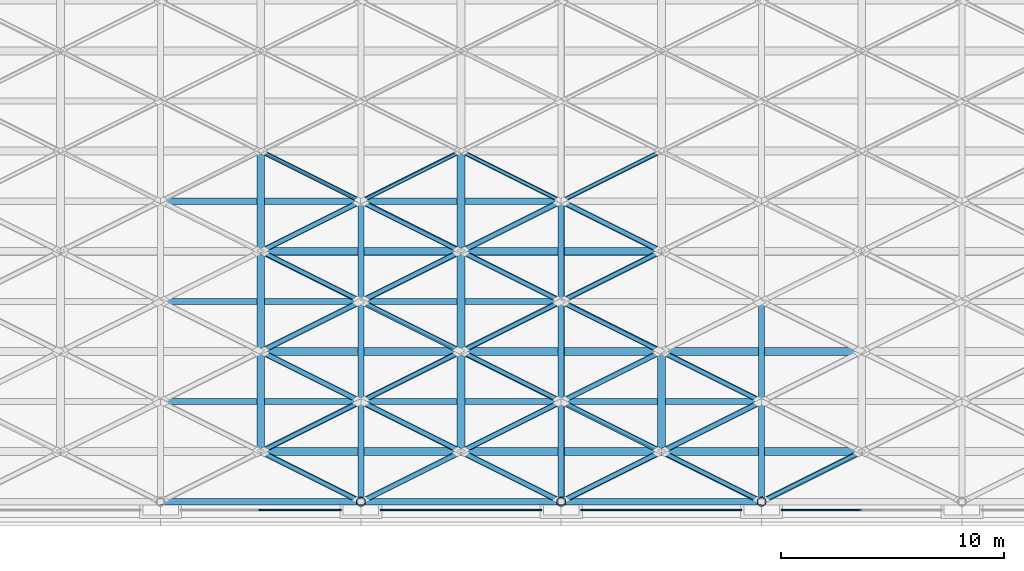
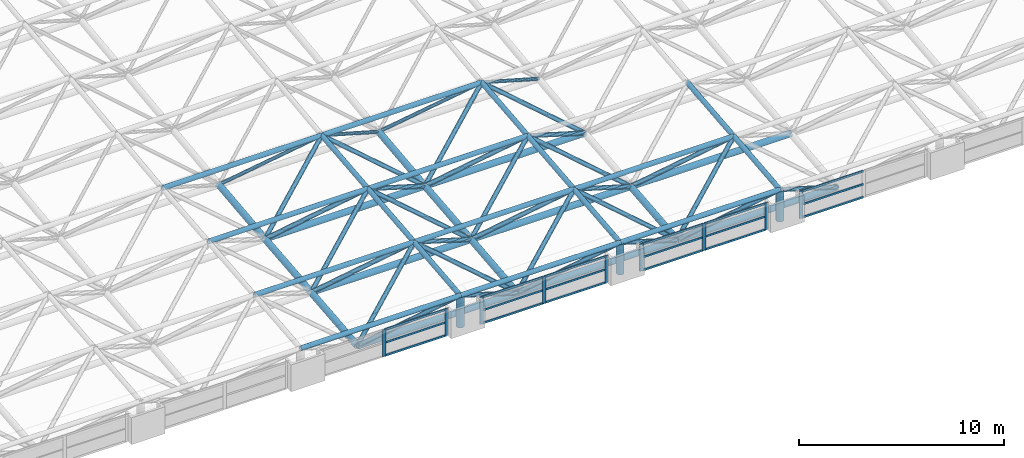
# One storey, part 5 of 53: 95 members, 4 elements without a shape of their own.
"""IFC4 building model written with IfcOpenShell, lengths in metres."""

from ifc_helpers import new_model, si_unit, direction, frame, origin, origin_2d, place, context, subcontext, project, spatial, rectangle, hollow_circle, extrude, material, material_profile, profile_set, type_object, element, aggregate, save


model = new_model("IFC4")

# Units and contexts
model_context = context("Model", 3, precision=1e-05, world=origin(), true_north=direction((0.0, 1.0)))
body_context = subcontext(model_context, "Body", "Model", "MODEL_VIEW")
ifc_project = project(units=[si_unit("LENGTHUNIT", "METRE"), si_unit("AREAUNIT", "SQUARE_METRE"), si_unit("VOLUMEUNIT", "CUBIC_METRE"), si_unit("PLANEANGLEUNIT", "RADIAN"), si_unit("MASSUNIT", "GRAM", prefix="KILO")], contexts=[model_context])

# Site, building, storey
site_placement = place(None, origin())
site = spatial("IfcSite", under=ifc_project, at=site_placement, CompositionType="ELEMENT")
building_placement = place(site_placement, origin())
building = spatial("IfcBuilding", under=site, at=building_placement, Name="Aravalli Gate Trade Fair Centre", CompositionType="ELEMENT")
storey_placement = place(building_placement, frame((0.0, 0.0, 25.199951171875)))
storey = spatial("IfcBuildingStorey", under=building, at=storey_placement, Name="ROOF LEVEL 2", CompositionType="ELEMENT", Elevation=25.199951171875)

# Members
ifc_material_1 = material(Name="Steel E350", Category="steel")
ifc_material_profile_1 = material_profile(ifc_material_1, hollow_circle(Radius=0.096923828125, WallThickness=0.00634765625, at=origin_2d()), Name="CHS 193.7x6.3")
ifc_profile_set_1 = profile_set([ifc_material_profile_1], Name="Steel E350")
member_type_1 = type_object("IfcMemberType", Name="CHS 193.7x6.3", PredefinedType="BRACE", material=ifc_profile_set_1)
for number, where, z_axis, x_axis, name in (
    (1, (42.0, 59.5, 3.150146484375), (0.786469857322, 0.393234928661, -0.476268258867), (-0.4472135955, 0.894427191, 0.0), "Space frame web diagonal D2A"),
    (2, (51.0, 59.5, 3.150146484375), (0.786469857322, 0.393234928661, -0.476268258867), (-0.4472135955, 0.894427191, 0.0), "Space frame web diagonal D2A"),
    (3, (42.0, 59.5, 3.150146484375), (-0.786469857322, 0.393234928661, -0.476268258867), (-0.4472135955, -0.894427191, 0.0), "Space frame web diagonal D2B"),
    (4, (51.0, 59.5, 3.150146484375), (-0.786469857322, 0.393234928661, -0.476268258867), (-0.4472135955, -0.894427191, 0.0), "Space frame web diagonal D2B"),
):
    element("IfcMember", number, at=place(storey_placement, frame(where, z_axis=z_axis, x_axis=x_axis)), inside=storey, type_object=member_type_1, Name=name, PredefinedType="BRACE", context=body_context, shape_type="SweptSolid", body=[
        extrude(hollow_circle(Radius=0.096923828125, WallThickness=0.00634765625, at=origin_2d()), origin(), (0.0, 0.0, 1.0), 5.7216796875),
    ])
ifc_material_profile_2 = material_profile(ifc_material_1, hollow_circle(Radius=0.122314453125, WallThickness=0.008056640625, at=origin_2d()), Name="CHS 244.5x8")
ifc_profile_set_2 = profile_set([ifc_material_profile_2], Name="Steel E350")
member_type_2 = type_object("IfcMemberType", Name="CHS 244.5x8", PredefinedType="BRACE", material=ifc_profile_set_2)
for number, where, z_axis, x_axis, name in (
    (5, (42.0, 46.0, 1.800048828125), (0.783200147531, 0.391600073766, -0.48295642778), (-0.4472135955, 0.894427191, 0.0), "Space frame web diagonal D1A"),
    (6, (51.0, 46.0, 1.800048828125), (0.783200147531, 0.391600073766, -0.48295642778), (-0.4472135955, 0.894427191, 0.0), "Space frame web diagonal D1A"),
    (7, (60.0, 46.0, 1.800048828125), (0.783200147531, 0.391600073766, -0.48295642778), (-0.4472135955, 0.894427191, 0.0), "Space frame web diagonal D1A"),
    (8, (42.0, 50.5, 2.25), (0.783200147531, 0.391600073766, -0.48295642778), (-0.4472135955, 0.894427191, 0.0), "Space frame web diagonal D1A"),
    (9, (51.0, 50.5, 2.25), (0.783200147531, 0.391600073766, -0.48295642778), (-0.4472135955, 0.894427191, 0.0), "Space frame web diagonal D1A"),
    (10, (42.0, 55.0, 2.699951171875), (0.783200147531, 0.391600073766, -0.48295642778), (-0.4472135955, 0.894427191, 0.0), "Space frame web diagonal D1A"),
    (11, (51.0, 55.0, 2.699951171875), (0.783200147531, 0.391600073766, -0.48295642778), (-0.4472135955, 0.894427191, 0.0), "Space frame web diagonal D1A"),
    (12, (42.0, 46.0, 1.800048828125), (-0.783200147531, 0.391600073766, -0.48295642778), (-0.4472135955, -0.894427191, 0.0), "Space frame web diagonal D1B"),
    (13, (51.0, 46.0, 1.800048828125), (-0.783200147531, 0.391600073766, -0.48295642778), (-0.4472135955, -0.894427191, 0.0), "Space frame web diagonal D1B"),
    (14, (60.0, 46.0, 1.800048828125), (-0.783200147531, 0.391600073766, -0.48295642778), (-0.4472135955, -0.894427191, 0.0), "Space frame web diagonal D1B"),
    (15, (42.0, 50.5, 2.25), (-0.783200147531, 0.391600073766, -0.48295642778), (-0.4472135955, -0.894427191, 0.0), "Space frame web diagonal D1B"),
    (16, (51.0, 50.5, 2.25), (-0.783200147531, 0.391600073766, -0.48295642778), (-0.4472135955, -0.894427191, 0.0), "Space frame web diagonal D1B"),
    (17, (60.0, 50.5, 2.25), (-0.783200147531, 0.391600073766, -0.48295642778), (-0.4472135955, -0.894427191, 0.0), "Space frame web diagonal D1B"),
    (18, (42.0, 55.0, 2.699951171875), (-0.783200147531, 0.391600073766, -0.48295642778), (-0.4472135955, -0.894427191, 0.0), "Space frame web diagonal D1B"),
    (19, (51.0, 55.0, 2.699951171875), (-0.783200147531, 0.391600073766, -0.48295642778), (-0.4472135955, -0.894427191, 0.0), "Space frame web diagonal D1B"),
):
    element("IfcMember", number, at=place(storey_placement, frame(where, z_axis=z_axis, x_axis=x_axis)), inside=storey, type_object=member_type_2, Name=name, PredefinedType="BRACE", context=body_context, shape_type="SweptSolid", body=[
        extrude(hollow_circle(Radius=0.122314453125, WallThickness=0.008056640625, at=origin_2d()), origin(), (0.0, 0.0, 1.0), 5.74560546875),
    ])
for number, where, z_axis, x_axis, name in (
    (20, (42.0, 50.5, 2.25), (0.753016221047, -0.376508110523, -0.539637112837), (0.4472135955, 0.894427191, 0.0), "Space frame web diagonal D1C"),
    (21, (51.0, 50.5, 2.25), (0.753016221047, -0.376508110523, -0.539637112837), (0.4472135955, 0.894427191, 0.0), "Space frame web diagonal D1C"),
    (22, (42.0, 55.0, 2.699951171875), (0.753016221047, -0.376508110523, -0.539637112837), (0.4472135955, 0.894427191, 0.0), "Space frame web diagonal D1C"),
    (23, (51.0, 55.0, 2.699951171875), (0.753016221047, -0.376508110523, -0.539637112837), (0.4472135955, 0.894427191, 0.0), "Space frame web diagonal D1C"),
    (24, (42.0, 59.5, 3.150146484375), (0.752999619823, -0.376499809912, -0.539666068678), (0.4472135955, 0.894427191, 0.0), "Space frame web diagonal D1C"),
    (25, (51.0, 59.5, 3.150146484375), (0.752999619823, -0.376499809912, -0.539666068678), (0.4472135955, 0.894427191, 0.0), "Space frame web diagonal D1C"),
    (26, (42.0, 50.5, 2.25), (-0.753016221047, -0.376508110523, -0.539637112837), (0.4472135955, -0.894427191, 0.0), "Space frame web diagonal D1D"),
    (27, (51.0, 50.5, 2.25), (-0.753016221047, -0.376508110523, -0.539637112837), (0.4472135955, -0.894427191, 0.0), "Space frame web diagonal D1D"),
    (28, (60.0, 50.5, 2.25), (-0.753016221047, -0.376508110523, -0.539637112837), (0.4472135955, -0.894427191, 0.0), "Space frame web diagonal D1D"),
    (29, (42.0, 55.0, 2.699951171875), (-0.753016221047, -0.376508110523, -0.539637112837), (0.4472135955, -0.894427191, 0.0), "Space frame web diagonal D1D"),
    (30, (51.0, 55.0, 2.699951171875), (-0.753016221047, -0.376508110523, -0.539637112837), (0.4472135955, -0.894427191, 0.0), "Space frame web diagonal D1D"),
    (31, (42.0, 59.5, 3.150146484375), (-0.752999619823, -0.376499809912, -0.539666068678), (0.4472135955, -0.894427191, 0.0), "Space frame web diagonal D1D"),
    (32, (51.0, 59.5, 3.150146484375), (-0.752999619823, -0.376499809912, -0.539666068678), (0.4472135955, -0.894427191, 0.0), "Space frame web diagonal D1D"),
):
    element("IfcMember", number, at=place(storey_placement, frame(where, z_axis=z_axis, x_axis=x_axis)), inside=storey, type_object=member_type_2, Name=name, PredefinedType="BRACE", context=body_context, shape_type="SweptSolid", body=[
        extrude(hollow_circle(Radius=0.122314453125, WallThickness=0.008056640625, at=origin_2d()), origin(), (0.0, 0.0, 1.0), 5.97607421875),
    ])
ifc_material_profile_3 = material_profile(ifc_material_1, hollow_circle(Radius=0.136474609375, WallThickness=0.010009765625, at=origin_2d()), Name="CHS 273.1x10")
ifc_profile_set_3 = profile_set([ifc_material_profile_3], Name="Steel E350")
member_type_3 = type_object("IfcMemberType", Name="CHS 273.1x10", PredefinedType="CHORD", material=ifc_profile_set_3)
for number, where, z_axis, x_axis, name in (
    (33, (33.0, 50.5, 2.25), (1.0, 0.0, 0.0), (0.0, 1.0, 0.0), "Space frame top chord along the lines T1"),
    (34, (42.0, 50.5, 2.25), (1.0, 0.0, 0.0), (0.0, 1.0, 0.0), "Space frame top chord along the lines T1"),
    (35, (51.0, 50.5, 2.25), (1.0, 0.0, 0.0), (0.0, 1.0, 0.0), "Space frame top chord along the lines T1"),
    (36, (33.0, 55.0, 2.699951171875), (1.0, 0.0, 0.0), (0.0, 1.0, 0.0), "Space frame top chord along the lines T1"),
    (37, (42.0, 55.0, 2.699951171875), (1.0, 0.0, 0.0), (0.0, 1.0, 0.0), "Space frame top chord along the lines T1"),
    (38, (33.0, 59.5, 3.150146484375), (1.0, 0.0, 0.0), (0.0, 1.0, 0.0), "Space frame top chord along the lines T2"),
    (39, (42.0, 59.5, 3.150146484375), (1.0, 0.0, 0.0), (0.0, 1.0, 0.0), "Space frame top chord along the lines T2"),
):
    element("IfcMember", number, at=place(storey_placement, frame(where, z_axis=z_axis, x_axis=x_axis)), inside=storey, type_object=member_type_3, Name=name, PredefinedType="CHORD", context=body_context, shape_type="SweptSolid", body=[
        extrude(hollow_circle(Radius=0.136474609375, WallThickness=0.010009765625, at=origin_2d()), origin(), (0.0, 0.0, 1.0), 9.0),
    ])
for number, where, z_axis, x_axis, name in (
    (40, (42.0, 46.0, 1.800048828125), (0.0, 0.995038259148, 0.099493029059), (-1.0, 0.0, 0.0), "Space frame top chord across the vault Y1"),
    (41, (42.0, 50.5, 2.25), (0.0, 0.995038259148, 0.099493029059), (-1.0, 0.0, 0.0), "Space frame top chord across the vault Y1"),
    (42, (42.0, 55.0, 2.699951171875), (0.0, 0.995032913332, 0.099546478526), (-1.0, 0.0, 0.0), "Space frame top chord across the vault Y1"),
    (43, (51.0, 46.0, 1.800048828125), (0.0, 0.995038259148, 0.099493029059), (-1.0, 0.0, 0.0), "Space frame top chord across the vault Y1"),
    (44, (51.0, 50.5, 2.25), (0.0, 0.995038259148, 0.099493029059), (-1.0, 0.0, 0.0), "Space frame top chord across the vault Y1"),
    (45, (51.0, 55.0, 2.699951171875), (0.0, 0.995032913332, 0.099546478526), (-1.0, 0.0, 0.0), "Space frame top chord across the vault Y1"),
    (46, (60.0, 46.0, 1.800048828125), (0.0, 0.995038259148, 0.099493029059), (-1.0, 0.0, 0.0), "Space frame top chord across the vault Y1"),
    (47, (60.0, 50.5, 2.25), (0.0, 0.995038259148, 0.099493029059), (-1.0, 0.0, 0.0), "Space frame top chord across the vault Y1"),
):
    element("IfcMember", number, at=place(storey_placement, frame(where, z_axis=z_axis, x_axis=x_axis)), inside=storey, type_object=member_type_3, Name=name, PredefinedType="CHORD", context=body_context, shape_type="SweptSolid", body=[
        extrude(hollow_circle(Radius=0.136474609375, WallThickness=0.010009765625, at=origin_2d()), origin(), (0.0, 0.0, 1.0), 4.5224609375),
    ])
ifc_material_profile_4 = material_profile(ifc_material_1, hollow_circle(Radius=0.136474609375, WallThickness=0.01611328125, at=origin_2d()), Name="CHS 273.1x16")
ifc_profile_set_4 = profile_set([ifc_material_profile_4], Name="Steel E350")
member_type_4 = type_object("IfcMemberType", Name="CHS 273.1x16", PredefinedType="CHORD", material=ifc_profile_set_4)
for number, where, z_axis, x_axis, name in (
    (48, (33.0, 46.0, 1.800048828125), (1.0, 0.0, 0.0), (0.0, 1.0, 0.0), "Space frame top chord along the lines TE"),
    (49, (42.0, 46.0, 1.800048828125), (1.0, 0.0, 0.0), (0.0, 1.0, 0.0), "Space frame top chord along the lines TE"),
    (50, (51.0, 46.0, 1.800048828125), (1.0, 0.0, 0.0), (0.0, 1.0, 0.0), "Space frame top chord along the lines TE"),
):
    element("IfcMember", number, at=place(storey_placement, frame(where, z_axis=z_axis, x_axis=x_axis)), inside=storey, type_object=member_type_4, Name=name, PredefinedType="CHORD", context=body_context, shape_type="SweptSolid", body=[
        extrude(hollow_circle(Radius=0.136474609375, WallThickness=0.01611328125, at=origin_2d()), origin(), (0.0, 0.0, 1.0), 9.0),
    ])
ifc_material_profile_5 = material_profile(ifc_material_1, hollow_circle(Radius=0.177734375, WallThickness=0.010009765625, at=origin_2d()), Name="CHS 355.6x10")
ifc_profile_set_5 = profile_set([ifc_material_profile_5], Name="Steel E350")
member_type_5 = type_object("IfcMemberType", Name="CHS 355.6x10", PredefinedType="CHORD", material=ifc_profile_set_5)
for number, where, z_axis, x_axis, name in (
    (51, (37.5, 52.75, -0.52490234375), (1.0, 0.0, 0.0), (0.0, 1.0, 0.0), "Space frame bottom chord along the lines B1"),
    (52, (46.5, 52.75, -0.52490234375), (1.0, 0.0, 0.0), (0.0, 1.0, 0.0), "Space frame bottom chord along the lines B1"),
    (53, (55.5, 52.75, -0.52490234375), (1.0, 0.0, 0.0), (0.0, 1.0, 0.0), "Space frame bottom chord along the lines B1"),
    (54, (37.5, 57.25, -0.074951171875), (1.0, 0.0, 0.0), (0.0, 1.0, 0.0), "Space frame bottom chord along the lines B1"),
    (55, (46.5, 57.25, -0.074951171875), (1.0, 0.0, 0.0), (0.0, 1.0, 0.0), "Space frame bottom chord along the lines B1"),
):
    element("IfcMember", number, at=place(storey_placement, frame(where, z_axis=z_axis, x_axis=x_axis)), inside=storey, type_object=member_type_5, Name=name, PredefinedType="CHORD", context=body_context, shape_type="SweptSolid", body=[
        extrude(hollow_circle(Radius=0.177734375, WallThickness=0.010009765625, at=origin_2d()), origin(), (0.0, 0.0, 1.0), 9.0),
    ])
for number, where, z_axis, x_axis, name in (
    (56, (37.5, 48.25, -0.974853515625), (0.0, 0.995038259148, 0.099493029059), (-1.0, 0.0, 0.0), "Space frame bottom chord across the vault C1"),
    (57, (37.5, 52.75, -0.52490234375), (0.0, 0.995038259148, 0.099493029059), (-1.0, 0.0, 0.0), "Space frame bottom chord across the vault C1"),
    (58, (46.5, 48.25, -0.974853515625), (0.0, 0.995038259148, 0.099493029059), (-1.0, 0.0, 0.0), "Space frame bottom chord across the vault C1"),
    (59, (46.5, 52.75, -0.52490234375), (0.0, 0.995038259148, 0.099493029059), (-1.0, 0.0, 0.0), "Space frame bottom chord across the vault C1"),
    (60, (55.5, 48.25, -0.974853515625), (0.0, 0.995038259148, 0.099493029059), (-1.0, 0.0, 0.0), "Space frame bottom chord across the vault C1"),
):
    element("IfcMember", number, at=place(storey_placement, frame(where, z_axis=z_axis, x_axis=x_axis)), inside=storey, type_object=member_type_5, Name=name, PredefinedType="CHORD", context=body_context, shape_type="SweptSolid", body=[
        extrude(hollow_circle(Radius=0.177734375, WallThickness=0.010009765625, at=origin_2d()), origin(), (0.0, 0.0, 1.0), 4.5224609375),
    ])
for number, where, z_axis, x_axis, name in (
    (61, (37.5, 57.25, -0.074951171875), (0.0, 0.993883734674, 0.110431526075), (-1.0, 0.0, 0.0), "Space frame bottom chord across the vault C2"),
    (62, (46.5, 57.25, -0.074951171875), (0.0, 0.993883734674, 0.110431526075), (-1.0, 0.0, 0.0), "Space frame bottom chord across the vault C2"),
):
    element("IfcMember", number, at=place(storey_placement, frame(where, z_axis=z_axis, x_axis=x_axis)), inside=storey, type_object=member_type_5, Name=name, PredefinedType="CHORD", context=body_context, shape_type="SweptSolid", body=[
        extrude(hollow_circle(Radius=0.177734375, WallThickness=0.010009765625, at=origin_2d()), origin(), (0.0, 0.0, 1.0), 4.527587890625),
    ])
ifc_material_profile_6 = material_profile(ifc_material_1, hollow_circle(Radius=0.177734375, WallThickness=0.01611328125, at=origin_2d()), Name="CHS 355.6x16")
ifc_profile_set_6 = profile_set([ifc_material_profile_6], Name="Steel E350")
member_type_6 = type_object("IfcMemberType", Name="CHS 355.6x16", PredefinedType="CHORD", material=ifc_profile_set_6)
for number, where, z_axis, x_axis, name in (
    (63, (37.5, 48.25, -0.974853515625), (1.0, 0.0, 0.0), (0.0, 1.0, 0.0), "Space frame bottom chord along the lines BE"),
    (64, (46.5, 48.25, -0.974853515625), (1.0, 0.0, 0.0), (0.0, 1.0, 0.0), "Space frame bottom chord along the lines BE"),
    (65, (55.5, 48.25, -0.974853515625), (1.0, 0.0, 0.0), (0.0, 1.0, 0.0), "Space frame bottom chord along the lines BE"),
):
    element("IfcMember", number, at=place(storey_placement, frame(where, z_axis=z_axis, x_axis=x_axis)), inside=storey, type_object=member_type_6, Name=name, PredefinedType="CHORD", context=body_context, shape_type="SweptSolid", body=[
        extrude(hollow_circle(Radius=0.177734375, WallThickness=0.01611328125, at=origin_2d()), origin(), (0.0, 0.0, 1.0), 9.0),
    ])
ifc_material_profile_7 = material_profile(ifc_material_1, hollow_circle(Radius=0.203125, WallThickness=0.01611328125, at=origin_2d()), Name="CHS 406.4x16")
ifc_profile_set_7 = profile_set([ifc_material_profile_7], Name="Steel E350")
member_type_7 = type_object("IfcMemberType", Name="CHS 406.4x16", PredefinedType="POST", material=ifc_profile_set_7)
for number, where, z_axis, x_axis, name in (
    (66, (42.0, 46.0, 0.0), (0.0, 0.0, 1.0), (1.0, 0.0, 0.0), "Space frame bearing post P1"),
    (67, (51.0, 46.0, 0.0), (0.0, 0.0, 1.0), (1.0, 0.0, 0.0), "Space frame bearing post P1"),
    (68, (60.0, 46.0, 0.0), (0.0, 0.0, 1.0), (1.0, 0.0, 0.0), "Space frame bearing post P1"),
):
    element("IfcMember", number, at=place(storey_placement, frame(where, z_axis=z_axis, x_axis=x_axis)), inside=storey, type_object=member_type_7, Name=name, PredefinedType="POST", context=body_context, shape_type="SweptSolid", body=[
        extrude(hollow_circle(Radius=0.203125, WallThickness=0.01611328125, at=origin_2d()), origin(), (0.0, 0.0, 1.0), 1.800048828125),
    ])

# Curtain wall, members
ifc_material_2 = material(Name="Aluminium, glass and louvre", Category="aluminium")
curtain_wall_type = type_object("IfcCurtainWallType", Name="Hall crown curtain wall 3000 module", PredefinedType="NOTDEFINED", material=ifc_material_2)
curtain_wall_1_placement = place(storey_placement, origin())
curtain_wall_1 = element("IfcCurtainWall", 69, at=curtain_wall_1_placement, inside=storey, type_object=curtain_wall_type, Name="Hall south crown curtain wall bay 4 ROOF LEVEL 2", PredefinedType="NOTDEFINED")
ifc_material_3 = material(Name="Aluminium", Category="aluminium")
ifc_material_profile_8 = material_profile(ifc_material_3, rectangle(XDim=0.06005859375, YDim=0.199951171875, at=origin_2d()), Name="Hall curtain wall mullion 60 x 200")
ifc_profile_set_8 = profile_set([ifc_material_profile_8], Name="Aluminium")
member_type_8 = type_object("IfcMemberType", Name="Hall curtain wall mullion 60 x 200", PredefinedType="MULLION", material=ifc_profile_set_8)
member_1_placement = place(storey_placement, frame((37.5, 45.625, 0.0), z_axis=(0.0, 0.0, 1.0), x_axis=(0.0, 1.0, 0.0)))
member_1 = element("IfcMember", 70, at=member_1_placement, type_object=member_type_8, Name="HCW1 mullion 2", PredefinedType="MULLION", context=body_context, shape_type="SweptSolid", body=[
    extrude(rectangle(XDim=0.06005859375, YDim=0.199951171875, at=origin_2d()), origin(), (0.0, 0.0, 1.0), 1.60009765625),
])
member_2_placement = place(storey_placement, frame((41.02001953125, 45.625, 0.0), z_axis=(0.0, 0.0, 1.0), x_axis=(0.0, 1.0, 0.0)))
member_2 = element("IfcMember", 71, at=member_2_placement, type_object=member_type_8, Name="HCW1 mullion 3", PredefinedType="MULLION", context=body_context, shape_type="SweptSolid", body=[
    extrude(rectangle(XDim=0.06005859375, YDim=0.199951171875, at=origin_2d()), origin(), (0.0, 0.0, 1.0), 1.60009765625),
])

curtain_wall_2_placement = place(storey_placement, origin())
curtain_wall_2 = element("IfcCurtainWall", 72, at=curtain_wall_2_placement, inside=storey, type_object=curtain_wall_type, Name="Hall south crown curtain wall bay 5 ROOF LEVEL 2", PredefinedType="NOTDEFINED")
member_3_placement = place(storey_placement, frame((42.97998046875, 45.625, 0.0), z_axis=(0.0, 0.0, 1.0), x_axis=(0.0, 1.0, 0.0)))
member_3 = element("IfcMember", 73, at=member_3_placement, type_object=member_type_8, Name="HCW1 mullion 1", PredefinedType="MULLION", context=body_context, shape_type="SweptSolid", body=[
    extrude(rectangle(XDim=0.06005859375, YDim=0.199951171875, at=origin_2d()), origin(), (0.0, 0.0, 1.0), 1.60009765625),
])
member_4_placement = place(storey_placement, frame((46.5, 45.625, 0.0), z_axis=(0.0, 0.0, 1.0), x_axis=(0.0, 1.0, 0.0)))
member_4 = element("IfcMember", 74, at=member_4_placement, type_object=member_type_8, Name="HCW1 mullion 2", PredefinedType="MULLION", context=body_context, shape_type="SweptSolid", body=[
    extrude(rectangle(XDim=0.06005859375, YDim=0.199951171875, at=origin_2d()), origin(), (0.0, 0.0, 1.0), 1.60009765625),
])
member_5_placement = place(storey_placement, frame((50.02001953125, 45.625, 0.0), z_axis=(0.0, 0.0, 1.0), x_axis=(0.0, 1.0, 0.0)))
member_5 = element("IfcMember", 75, at=member_5_placement, type_object=member_type_8, Name="HCW1 mullion 3", PredefinedType="MULLION", context=body_context, shape_type="SweptSolid", body=[
    extrude(rectangle(XDim=0.06005859375, YDim=0.199951171875, at=origin_2d()), origin(), (0.0, 0.0, 1.0), 1.60009765625),
])

curtain_wall_3_placement = place(storey_placement, origin())
curtain_wall_3 = element("IfcCurtainWall", 76, at=curtain_wall_3_placement, inside=storey, type_object=curtain_wall_type, Name="Hall south crown curtain wall bay 6 ROOF LEVEL 2", PredefinedType="NOTDEFINED")
member_6_placement = place(storey_placement, frame((51.97998046875, 45.625, 0.0), z_axis=(0.0, 0.0, 1.0), x_axis=(0.0, 1.0, 0.0)))
member_6 = element("IfcMember", 77, at=member_6_placement, type_object=member_type_8, Name="HCW1 mullion 1", PredefinedType="MULLION", context=body_context, shape_type="SweptSolid", body=[
    extrude(rectangle(XDim=0.06005859375, YDim=0.199951171875, at=origin_2d()), origin(), (0.0, 0.0, 1.0), 1.60009765625),
])
member_7_placement = place(storey_placement, frame((55.5, 45.625, 0.0), z_axis=(0.0, 0.0, 1.0), x_axis=(0.0, 1.0, 0.0)))
member_7 = element("IfcMember", 78, at=member_7_placement, type_object=member_type_8, Name="HCW1 mullion 2", PredefinedType="MULLION", context=body_context, shape_type="SweptSolid", body=[
    extrude(rectangle(XDim=0.06005859375, YDim=0.199951171875, at=origin_2d()), origin(), (0.0, 0.0, 1.0), 1.60009765625),
])
member_8_placement = place(storey_placement, frame((59.02001953125, 45.625, 0.0), z_axis=(0.0, 0.0, 1.0), x_axis=(0.0, 1.0, 0.0)))
member_8 = element("IfcMember", 79, at=member_8_placement, type_object=member_type_8, Name="HCW1 mullion 3", PredefinedType="MULLION", context=body_context, shape_type="SweptSolid", body=[
    extrude(rectangle(XDim=0.06005859375, YDim=0.199951171875, at=origin_2d()), origin(), (0.0, 0.0, 1.0), 1.60009765625),
])

# Curtain wall, member
curtain_wall_4_placement = place(storey_placement, origin())
curtain_wall_4 = element("IfcCurtainWall", 80, at=curtain_wall_4_placement, inside=storey, type_object=curtain_wall_type, Name="Hall south crown curtain wall bay 7 ROOF LEVEL 2", PredefinedType="NOTDEFINED")
member_9_placement = place(storey_placement, frame((60.97998046875, 45.625, 0.0), z_axis=(0.0, 0.0, 1.0), x_axis=(0.0, 1.0, 0.0)))
member_9 = element("IfcMember", 81, at=member_9_placement, type_object=member_type_8, Name="HCW1 mullion 1", PredefinedType="MULLION", context=body_context, shape_type="SweptSolid", body=[
    extrude(rectangle(XDim=0.06005859375, YDim=0.199951171875, at=origin_2d()), origin(), (0.0, 0.0, 1.0), 1.60009765625),
])

# Member
ifc_material_profile_9 = material_profile(ifc_material_3, rectangle(XDim=0.06005859375, YDim=0.1201171875, at=origin_2d()), Name="Hall curtain wall transom 60 x 120")
ifc_profile_set_9 = profile_set([ifc_material_profile_9], Name="Aluminium")
member_type_9 = type_object("IfcMemberType", Name="Hall curtain wall transom 60 x 120", PredefinedType="USERDEFINED", material=ifc_profile_set_9)
member_10_placement = place(storey_placement, frame((37.530029296875, 45.625, 0.030029296875), z_axis=(1.0, 0.0, 0.0), x_axis=(0.0, 1.0, 0.0)))
member_10 = element("IfcMember", 82, at=member_10_placement, type_object=member_type_9, Name="HCW1 transom 2.1", ObjectType="TRANSOM", PredefinedType="USERDEFINED", context=body_context, shape_type="SweptSolid", body=[
    extrude(rectangle(XDim=0.06005859375, YDim=0.1201171875, at=origin_2d()), origin(), (0.0, 0.0, 1.0), 3.4599609375),
])

member_11_placement = place(storey_placement, frame((37.530029296875, 45.625, 0.800048828125), z_axis=(1.0, 0.0, 0.0), x_axis=(0.0, 1.0, 0.0)))
member_11 = element("IfcMember", 83, at=member_11_placement, type_object=member_type_9, Name="HCW1 transom 2.2", ObjectType="TRANSOM", PredefinedType="USERDEFINED", context=body_context, shape_type="SweptSolid", body=[
    extrude(rectangle(XDim=0.06005859375, YDim=0.1201171875, at=origin_2d()), origin(), (0.0, 0.0, 1.0), 3.4599609375),
])

member_12_placement = place(storey_placement, frame((37.530029296875, 45.625, 1.570068359375), z_axis=(1.0, 0.0, 0.0), x_axis=(0.0, 1.0, 0.0)))
member_12 = element("IfcMember", 84, at=member_12_placement, type_object=member_type_9, Name="HCW1 transom 2.3", ObjectType="TRANSOM", PredefinedType="USERDEFINED", context=body_context, shape_type="SweptSolid", body=[
    extrude(rectangle(XDim=0.06005859375, YDim=0.1201171875, at=origin_2d()), origin(), (0.0, 0.0, 1.0), 3.4599609375),
])

aggregate(curtain_wall_1, [member_1, member_2, member_10, member_11, member_12])

member_13_placement = place(storey_placement, frame((43.010009765625, 45.625, 0.030029296875), z_axis=(1.0, 0.0, 0.0), x_axis=(0.0, 1.0, 0.0)))
member_13 = element("IfcMember", 85, at=member_13_placement, type_object=member_type_9, Name="HCW1 transom 1.1", ObjectType="TRANSOM", PredefinedType="USERDEFINED", context=body_context, shape_type="SweptSolid", body=[
    extrude(rectangle(XDim=0.06005859375, YDim=0.1201171875, at=origin_2d()), origin(), (0.0, 0.0, 1.0), 3.4599609375),
])

member_14_placement = place(storey_placement, frame((43.010009765625, 45.625, 0.800048828125), z_axis=(1.0, 0.0, 0.0), x_axis=(0.0, 1.0, 0.0)))
member_14 = element("IfcMember", 86, at=member_14_placement, type_object=member_type_9, Name="HCW1 transom 1.2", ObjectType="TRANSOM", PredefinedType="USERDEFINED", context=body_context, shape_type="SweptSolid", body=[
    extrude(rectangle(XDim=0.06005859375, YDim=0.1201171875, at=origin_2d()), origin(), (0.0, 0.0, 1.0), 3.4599609375),
])

member_15_placement = place(storey_placement, frame((43.010009765625, 45.625, 1.570068359375), z_axis=(1.0, 0.0, 0.0), x_axis=(0.0, 1.0, 0.0)))
member_15 = element("IfcMember", 87, at=member_15_placement, type_object=member_type_9, Name="HCW1 transom 1.3", ObjectType="TRANSOM", PredefinedType="USERDEFINED", context=body_context, shape_type="SweptSolid", body=[
    extrude(rectangle(XDim=0.06005859375, YDim=0.1201171875, at=origin_2d()), origin(), (0.0, 0.0, 1.0), 3.4599609375),
])

member_16_placement = place(storey_placement, frame((46.530029296875, 45.625, 0.030029296875), z_axis=(1.0, 0.0, 0.0), x_axis=(0.0, 1.0, 0.0)))
member_16 = element("IfcMember", 88, at=member_16_placement, type_object=member_type_9, Name="HCW1 transom 2.1", ObjectType="TRANSOM", PredefinedType="USERDEFINED", context=body_context, shape_type="SweptSolid", body=[
    extrude(rectangle(XDim=0.06005859375, YDim=0.1201171875, at=origin_2d()), origin(), (0.0, 0.0, 1.0), 3.4599609375),
])

member_17_placement = place(storey_placement, frame((46.530029296875, 45.625, 0.800048828125), z_axis=(1.0, 0.0, 0.0), x_axis=(0.0, 1.0, 0.0)))
member_17 = element("IfcMember", 89, at=member_17_placement, type_object=member_type_9, Name="HCW1 transom 2.2", ObjectType="TRANSOM", PredefinedType="USERDEFINED", context=body_context, shape_type="SweptSolid", body=[
    extrude(rectangle(XDim=0.06005859375, YDim=0.1201171875, at=origin_2d()), origin(), (0.0, 0.0, 1.0), 3.4599609375),
])

member_18_placement = place(storey_placement, frame((46.530029296875, 45.625, 1.570068359375), z_axis=(1.0, 0.0, 0.0), x_axis=(0.0, 1.0, 0.0)))
member_18 = element("IfcMember", 90, at=member_18_placement, type_object=member_type_9, Name="HCW1 transom 2.3", ObjectType="TRANSOM", PredefinedType="USERDEFINED", context=body_context, shape_type="SweptSolid", body=[
    extrude(rectangle(XDim=0.06005859375, YDim=0.1201171875, at=origin_2d()), origin(), (0.0, 0.0, 1.0), 3.4599609375),
])

aggregate(curtain_wall_2, [member_3, member_4, member_5, member_13, member_14, member_15, member_16, member_17, member_18])

member_19_placement = place(storey_placement, frame((52.010009765625, 45.625, 0.030029296875), z_axis=(1.0, 0.0, 0.0), x_axis=(0.0, 1.0, 0.0)))
member_19 = element("IfcMember", 91, at=member_19_placement, type_object=member_type_9, Name="HCW1 transom 1.1", ObjectType="TRANSOM", PredefinedType="USERDEFINED", context=body_context, shape_type="SweptSolid", body=[
    extrude(rectangle(XDim=0.06005859375, YDim=0.1201171875, at=origin_2d()), origin(), (0.0, 0.0, 1.0), 3.4599609375),
])

member_20_placement = place(storey_placement, frame((52.010009765625, 45.625, 0.800048828125), z_axis=(1.0, 0.0, 0.0), x_axis=(0.0, 1.0, 0.0)))
member_20 = element("IfcMember", 92, at=member_20_placement, type_object=member_type_9, Name="HCW1 transom 1.2", ObjectType="TRANSOM", PredefinedType="USERDEFINED", context=body_context, shape_type="SweptSolid", body=[
    extrude(rectangle(XDim=0.06005859375, YDim=0.1201171875, at=origin_2d()), origin(), (0.0, 0.0, 1.0), 3.4599609375),
])

member_21_placement = place(storey_placement, frame((52.010009765625, 45.625, 1.570068359375), z_axis=(1.0, 0.0, 0.0), x_axis=(0.0, 1.0, 0.0)))
member_21 = element("IfcMember", 93, at=member_21_placement, type_object=member_type_9, Name="HCW1 transom 1.3", ObjectType="TRANSOM", PredefinedType="USERDEFINED", context=body_context, shape_type="SweptSolid", body=[
    extrude(rectangle(XDim=0.06005859375, YDim=0.1201171875, at=origin_2d()), origin(), (0.0, 0.0, 1.0), 3.4599609375),
])

member_22_placement = place(storey_placement, frame((55.530029296875, 45.625, 0.030029296875), z_axis=(1.0, 0.0, 0.0), x_axis=(0.0, 1.0, 0.0)))
member_22 = element("IfcMember", 94, at=member_22_placement, type_object=member_type_9, Name="HCW1 transom 2.1", ObjectType="TRANSOM", PredefinedType="USERDEFINED", context=body_context, shape_type="SweptSolid", body=[
    extrude(rectangle(XDim=0.06005859375, YDim=0.1201171875, at=origin_2d()), origin(), (0.0, 0.0, 1.0), 3.4599609375),
])

member_23_placement = place(storey_placement, frame((55.530029296875, 45.625, 0.800048828125), z_axis=(1.0, 0.0, 0.0), x_axis=(0.0, 1.0, 0.0)))
member_23 = element("IfcMember", 95, at=member_23_placement, type_object=member_type_9, Name="HCW1 transom 2.2", ObjectType="TRANSOM", PredefinedType="USERDEFINED", context=body_context, shape_type="SweptSolid", body=[
    extrude(rectangle(XDim=0.06005859375, YDim=0.1201171875, at=origin_2d()), origin(), (0.0, 0.0, 1.0), 3.4599609375),
])

member_24_placement = place(storey_placement, frame((55.530029296875, 45.625, 1.570068359375), z_axis=(1.0, 0.0, 0.0), x_axis=(0.0, 1.0, 0.0)))
member_24 = element("IfcMember", 96, at=member_24_placement, type_object=member_type_9, Name="HCW1 transom 2.3", ObjectType="TRANSOM", PredefinedType="USERDEFINED", context=body_context, shape_type="SweptSolid", body=[
    extrude(rectangle(XDim=0.06005859375, YDim=0.1201171875, at=origin_2d()), origin(), (0.0, 0.0, 1.0), 3.4599609375),
])

aggregate(curtain_wall_3, [member_6, member_7, member_8, member_19, member_20, member_21, member_22, member_23, member_24])

member_25_placement = place(storey_placement, frame((61.010009765625, 45.625, 0.030029296875), z_axis=(1.0, 0.0, 0.0), x_axis=(0.0, 1.0, 0.0)))
member_25 = element("IfcMember", 97, at=member_25_placement, type_object=member_type_9, Name="HCW1 transom 1.1", ObjectType="TRANSOM", PredefinedType="USERDEFINED", context=body_context, shape_type="SweptSolid", body=[
    extrude(rectangle(XDim=0.06005859375, YDim=0.1201171875, at=origin_2d()), origin(), (0.0, 0.0, 1.0), 3.4599609375),
])

member_26_placement = place(storey_placement, frame((61.010009765625, 45.625, 0.800048828125), z_axis=(1.0, 0.0, 0.0), x_axis=(0.0, 1.0, 0.0)))
member_26 = element("IfcMember", 98, at=member_26_placement, type_object=member_type_9, Name="HCW1 transom 1.2", ObjectType="TRANSOM", PredefinedType="USERDEFINED", context=body_context, shape_type="SweptSolid", body=[
    extrude(rectangle(XDim=0.06005859375, YDim=0.1201171875, at=origin_2d()), origin(), (0.0, 0.0, 1.0), 3.4599609375),
])

member_27_placement = place(storey_placement, frame((61.010009765625, 45.625, 1.570068359375), z_axis=(1.0, 0.0, 0.0), x_axis=(0.0, 1.0, 0.0)))
member_27 = element("IfcMember", 99, at=member_27_placement, type_object=member_type_9, Name="HCW1 transom 1.3", ObjectType="TRANSOM", PredefinedType="USERDEFINED", context=body_context, shape_type="SweptSolid", body=[
    extrude(rectangle(XDim=0.06005859375, YDim=0.1201171875, at=origin_2d()), origin(), (0.0, 0.0, 1.0), 3.4599609375),
])

aggregate(curtain_wall_4, [member_9, member_25, member_26, member_27])

save(model, "model.ifc")
